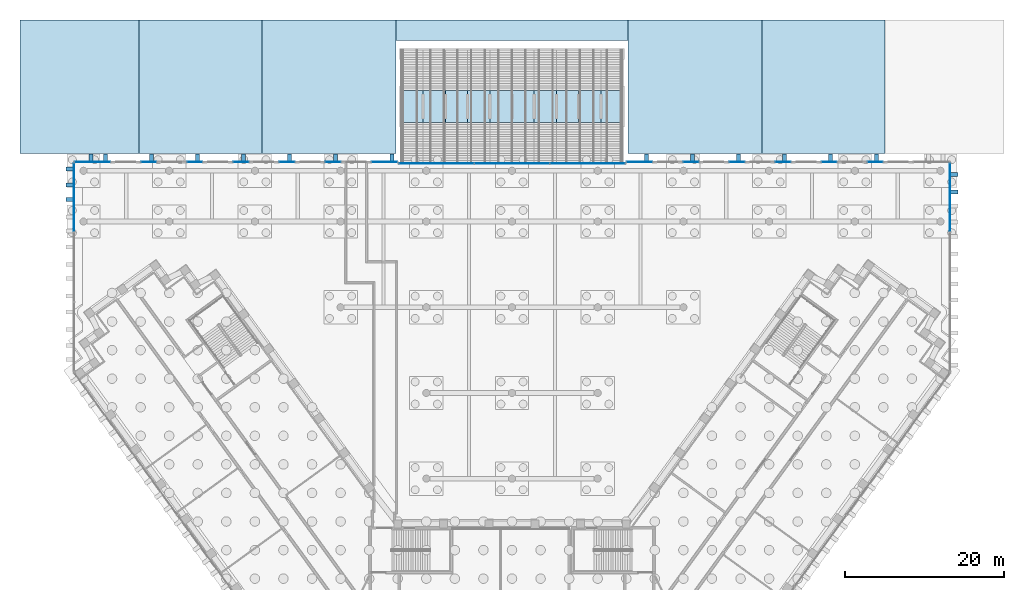
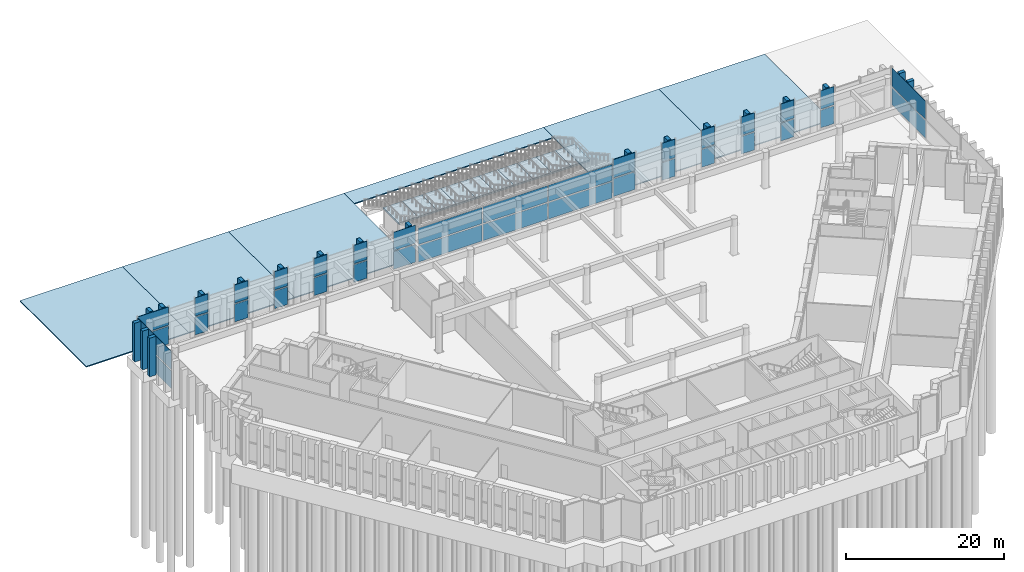
# One storey, part 14 of 32: 55 plates, 16 slabs, 26 elements without a shape of their own.
"""IFC4 building model written with IfcOpenShell, lengths in metres."""

from ifc_helpers import new_model, si_unit, direction, frame, origin, origin_2d, place, context, subcontext, project, spatial, polyline, rectangle, outline, extrude, material, layer, layer_set, type_object, element, aggregate, save


model = new_model("IFC4")

# Units and contexts
model_context = context("Model", 3, precision=1e-05, world=origin(), true_north=direction((0.0, 1.0)))
body_context = subcontext(model_context, "Body", "Model", "MODEL_VIEW")
ifc_project = project(units=[si_unit("LENGTHUNIT", "METRE"), si_unit("AREAUNIT", "SQUARE_METRE"), si_unit("VOLUMEUNIT", "CUBIC_METRE"), si_unit("PLANEANGLEUNIT", "RADIAN"), si_unit("MASSUNIT", "GRAM", prefix="KILO")], contexts=[model_context])

# Site, building, storey
site_placement = place(None, origin())
site = spatial("IfcSite", under=ifc_project, at=site_placement, CompositionType="ELEMENT")
building_placement = place(site_placement, origin())
building = spatial("IfcBuilding", under=site, at=building_placement, Name="Quipu Civic Tower", CompositionType="ELEMENT")
storey_placement = place(building_placement, origin())
storey = spatial("IfcBuildingStorey", under=building, at=storey_placement, Name="L00", CompositionType="ELEMENT", Elevation=0.0)

# Stair, slab
ifc_material_1 = material(Name="Concrete C40/50", Category="concrete")
stair_type = type_object("IfcStairType", Name="Broad stair 2800", PredefinedType="STRAIGHT_RUN_STAIR", material=ifc_material_1)
stair_1_placement = place(storey_placement, origin())
stair_1 = element("IfcStair", 1, at=stair_1_placement, inside=storey, type_object=stair_type, Name="Broad garden stair", PredefinedType="STRAIGHT_RUN_STAIR")
ifc_material_2 = material(Name="Concrete C40/50", Category="concrete")
ifc_layer_1 = layer(ifc_material_2, 0.25)
ifc_layer_set_1 = layer_set([ifc_layer_1], Name="Concrete C40/50")
slab_type_1 = type_object("IfcSlabType", Name="Broad stair landing 250", PredefinedType="LANDING", material=ifc_layer_set_1)
slab_1_placement = place(storey_placement, frame((0.0, 0.0, 2.75)))
slab_1 = element("IfcSlab", 2, at=slab_1_placement, type_object=slab_type_1, Name="BS1 landing 1", PredefinedType="LANDING", context=body_context, shape_type="SweptSolid", body=[
    extrude(outline(polyline([(-14.0, 61.10009765625), (-11.199951171875, 61.10009765625), (-11.199951171875, 65.10009765625), (-14.0, 65.10009765625), (-14.0, 61.10009765625)])), origin(), (0.0, 0.0, 1.0), 0.25),
])
aggregate(stair_1, [slab_1])

stair_2_placement = place(storey_placement, origin())
stair_2 = element("IfcStair", 3, at=stair_2_placement, inside=storey, type_object=stair_type, Name="Broad garden stair", PredefinedType="STRAIGHT_RUN_STAIR")
slab_2_placement = place(storey_placement, frame((0.0, 0.0, 2.75)))
slab_2 = element("IfcSlab", 4, at=slab_2_placement, type_object=slab_type_1, Name="BS2 landing 1", PredefinedType="LANDING", context=body_context, shape_type="SweptSolid", body=[
    extrude(outline(polyline([(-11.199951171875, 61.10009765625), (-8.39990234375, 61.10009765625), (-8.39990234375, 65.10009765625), (-11.199951171875, 65.10009765625), (-11.199951171875, 61.10009765625)])), origin(), (0.0, 0.0, 1.0), 0.25),
])
aggregate(stair_2, [slab_2])

stair_3_placement = place(storey_placement, origin())
stair_3 = element("IfcStair", 5, at=stair_3_placement, inside=storey, type_object=stair_type, Name="Broad garden stair", PredefinedType="STRAIGHT_RUN_STAIR")
slab_3_placement = place(storey_placement, frame((0.0, 0.0, 2.75)))
slab_3 = element("IfcSlab", 6, at=slab_3_placement, type_object=slab_type_1, Name="BS3 landing 1", PredefinedType="LANDING", context=body_context, shape_type="SweptSolid", body=[
    extrude(outline(polyline([(-8.39990234375, 61.10009765625), (-5.60009765625, 61.10009765625), (-5.60009765625, 65.10009765625), (-8.39990234375, 65.10009765625), (-8.39990234375, 61.10009765625)])), origin(), (0.0, 0.0, 1.0), 0.25),
])
aggregate(stair_3, [slab_3])

stair_4_placement = place(storey_placement, origin())
stair_4 = element("IfcStair", 7, at=stair_4_placement, inside=storey, type_object=stair_type, Name="Broad garden stair", PredefinedType="STRAIGHT_RUN_STAIR")
slab_4_placement = place(storey_placement, frame((0.0, 0.0, 2.75)))
slab_4 = element("IfcSlab", 8, at=slab_4_placement, type_object=slab_type_1, Name="BS4 landing 1", PredefinedType="LANDING", context=body_context, shape_type="SweptSolid", body=[
    extrude(outline(polyline([(-5.60009765625, 61.10009765625), (-2.800048828125, 61.10009765625), (-2.800048828125, 65.10009765625), (-5.60009765625, 65.10009765625), (-5.60009765625, 61.10009765625)])), origin(), (0.0, 0.0, 1.0), 0.25),
])
aggregate(stair_4, [slab_4])

stair_5_placement = place(storey_placement, origin())
stair_5 = element("IfcStair", 9, at=stair_5_placement, inside=storey, type_object=stair_type, Name="Broad garden stair", PredefinedType="STRAIGHT_RUN_STAIR")
slab_5_placement = place(storey_placement, frame((0.0, 0.0, 2.75)))
slab_5 = element("IfcSlab", 10, at=slab_5_placement, type_object=slab_type_1, Name="BS5 landing 1", PredefinedType="LANDING", context=body_context, shape_type="SweptSolid", body=[
    extrude(outline(polyline([(-2.800048828125, 61.10009765625), (0.0, 61.10009765625), (0.0, 65.10009765625), (-2.800048828125, 65.10009765625), (-2.800048828125, 61.10009765625)])), origin(), (0.0, 0.0, 1.0), 0.25),
])
aggregate(stair_5, [slab_5])

stair_6_placement = place(storey_placement, origin())
stair_6 = element("IfcStair", 11, at=stair_6_placement, inside=storey, type_object=stair_type, Name="Broad garden stair", PredefinedType="STRAIGHT_RUN_STAIR")
slab_6_placement = place(storey_placement, frame((0.0, 0.0, 2.75)))
slab_6 = element("IfcSlab", 12, at=slab_6_placement, type_object=slab_type_1, Name="BS6 landing 1", PredefinedType="LANDING", context=body_context, shape_type="SweptSolid", body=[
    extrude(outline(polyline([(0.0, 61.10009765625), (2.800048828125, 61.10009765625), (2.800048828125, 65.10009765625), (0.0, 65.10009765625), (0.0, 61.10009765625)])), origin(), (0.0, 0.0, 1.0), 0.25),
])
aggregate(stair_6, [slab_6])

stair_7_placement = place(storey_placement, origin())
stair_7 = element("IfcStair", 13, at=stair_7_placement, inside=storey, type_object=stair_type, Name="Broad garden stair", PredefinedType="STRAIGHT_RUN_STAIR")
slab_7_placement = place(storey_placement, frame((0.0, 0.0, 2.75)))
slab_7 = element("IfcSlab", 14, at=slab_7_placement, type_object=slab_type_1, Name="BS7 landing 1", PredefinedType="LANDING", context=body_context, shape_type="SweptSolid", body=[
    extrude(outline(polyline([(2.800048828125, 61.10009765625), (5.60009765625, 61.10009765625), (5.60009765625, 65.10009765625), (2.800048828125, 65.10009765625), (2.800048828125, 61.10009765625)])), origin(), (0.0, 0.0, 1.0), 0.25),
])
aggregate(stair_7, [slab_7])

stair_8_placement = place(storey_placement, origin())
stair_8 = element("IfcStair", 15, at=stair_8_placement, inside=storey, type_object=stair_type, Name="Broad garden stair", PredefinedType="STRAIGHT_RUN_STAIR")
slab_8_placement = place(storey_placement, frame((0.0, 0.0, 2.75)))
slab_8 = element("IfcSlab", 16, at=slab_8_placement, type_object=slab_type_1, Name="BS8 landing 1", PredefinedType="LANDING", context=body_context, shape_type="SweptSolid", body=[
    extrude(outline(polyline([(5.60009765625, 61.10009765625), (8.39990234375, 61.10009765625), (8.39990234375, 65.10009765625), (5.60009765625, 65.10009765625), (5.60009765625, 61.10009765625)])), origin(), (0.0, 0.0, 1.0), 0.25),
])
aggregate(stair_8, [slab_8])

stair_9_placement = place(storey_placement, origin())
stair_9 = element("IfcStair", 17, at=stair_9_placement, inside=storey, type_object=stair_type, Name="Broad garden stair", PredefinedType="STRAIGHT_RUN_STAIR")
slab_9_placement = place(storey_placement, frame((0.0, 0.0, 2.75)))
slab_9 = element("IfcSlab", 18, at=slab_9_placement, type_object=slab_type_1, Name="BS9 landing 1", PredefinedType="LANDING", context=body_context, shape_type="SweptSolid", body=[
    extrude(outline(polyline([(8.39990234375, 61.10009765625), (11.199951171875, 61.10009765625), (11.199951171875, 65.10009765625), (8.39990234375, 65.10009765625), (8.39990234375, 61.10009765625)])), origin(), (0.0, 0.0, 1.0), 0.25),
])
aggregate(stair_9, [slab_9])

stair_10_placement = place(storey_placement, origin())
stair_10 = element("IfcStair", 19, at=stair_10_placement, inside=storey, type_object=stair_type, Name="Broad garden stair", PredefinedType="STRAIGHT_RUN_STAIR")
slab_10_placement = place(storey_placement, frame((0.0, 0.0, 2.75)))
slab_10 = element("IfcSlab", 20, at=slab_10_placement, type_object=slab_type_1, Name="BS10 landing 1", PredefinedType="LANDING", context=body_context, shape_type="SweptSolid", body=[
    extrude(outline(polyline([(11.199951171875, 61.10009765625), (14.0, 61.10009765625), (14.0, 65.10009765625), (11.199951171875, 65.10009765625), (11.199951171875, 61.10009765625)])), origin(), (0.0, 0.0, 1.0), 0.25),
])
aggregate(stair_10, [slab_10])

# Slabs
ifc_material_3 = material(Name="Precast concrete paving C30/37", Category="concrete")
slab_type_2 = type_object("IfcSlabType", Name="Forecourt paving", PredefinedType="USERDEFINED", material=ifc_material_3)
slab_11_placement = place(storey_placement, frame((0.0, 0.0, -0.14990234375)))
element("IfcSlab", 21, at=slab_11_placement, inside=storey, type_object=slab_type_2, Name="Forecourt paving 1", ObjectType="PAVING", PredefinedType="USERDEFINED", context=body_context, shape_type="SweptSolid", body=[
    extrude(outline(polyline([(-47.0, 57.199951171875), (-47.0, 74.0), (-62.0, 74.0), (-62.0, 57.199951171875), (-47.0, 57.199951171875)])), origin(), (0.0, 0.0, 1.0), 0.14990234375),
])
slab_12_placement = place(storey_placement, frame((0.0, 0.0, -0.14990234375)))
element("IfcSlab", 22, at=slab_12_placement, inside=storey, type_object=slab_type_2, Name="Forecourt paving 2", ObjectType="PAVING", PredefinedType="USERDEFINED", context=body_context, shape_type="SweptSolid", body=[
    extrude(outline(polyline([(-31.5, 57.199951171875), (-31.5, 74.0), (-47.0, 74.0), (-47.0, 57.199951171875), (-31.5, 57.199951171875)])), origin(), (0.0, 0.0, 1.0), 0.14990234375),
])
slab_13_placement = place(storey_placement, frame((0.0, 0.0, -0.14990234375)))
element("IfcSlab", 23, at=slab_13_placement, inside=storey, type_object=slab_type_2, Name="Forecourt paving 3", ObjectType="PAVING", PredefinedType="USERDEFINED", context=body_context, shape_type="SweptSolid", body=[
    extrude(outline(polyline([(-14.60009765625, 57.199951171875), (-14.60009765625, 74.0), (-31.5, 74.0), (-31.5, 57.199951171875), (-14.60009765625, 57.199951171875)])), origin(), (0.0, 0.0, 1.0), 0.14990234375),
])
slab_14_placement = place(storey_placement, frame((0.0, 0.0, -0.14990234375)))
element("IfcSlab", 24, at=slab_14_placement, inside=storey, type_object=slab_type_2, Name="Forecourt paving 4", ObjectType="PAVING", PredefinedType="USERDEFINED", context=body_context, shape_type="SweptSolid", body=[
    extrude(outline(polyline([(31.5, 57.199951171875), (31.5, 74.0), (14.60009765625, 74.0), (14.60009765625, 57.199951171875), (31.5, 57.199951171875)])), origin(), (0.0, 0.0, 1.0), 0.14990234375),
])
slab_15_placement = place(storey_placement, frame((0.0, 0.0, -0.14990234375)))
element("IfcSlab", 25, at=slab_15_placement, inside=storey, type_object=slab_type_2, Name="Forecourt paving 5", ObjectType="PAVING", PredefinedType="USERDEFINED", context=body_context, shape_type="SweptSolid", body=[
    extrude(outline(polyline([(47.0, 57.199951171875), (47.0, 74.0), (31.5, 74.0), (31.5, 57.199951171875), (47.0, 57.199951171875)])), origin(), (0.0, 0.0, 1.0), 0.14990234375),
])
slab_16_placement = place(storey_placement, frame((0.0, 0.0, -0.14990234375)))
element("IfcSlab", 26, at=slab_16_placement, inside=storey, type_object=slab_type_2, Name="Forecourt paving 7", ObjectType="PAVING", PredefinedType="USERDEFINED", context=body_context, shape_type="SweptSolid", body=[
    extrude(outline(polyline([(14.60009765625, 71.39990234375), (14.60009765625, 74.0), (-14.60009765625, 74.0), (-14.60009765625, 71.39990234375), (14.60009765625, 71.39990234375)])), origin(), (0.0, 0.0, 1.0), 0.14990234375),
])

# Curtain wall, plates
ifc_material_4 = material(Name="Insulated glass unit", Category="glass")
curtain_wall_type = type_object("IfcCurtainWallType", Name="Hall glazing CW2", PredefinedType="NOTDEFINED", material=ifc_material_4)
curtain_wall_1_placement = place(storey_placement, origin())
curtain_wall_1 = element("IfcCurtainWall", 27, at=curtain_wall_1_placement, inside=storey, type_object=curtain_wall_type, Name="Hall glazing CW2 L00 run 4", PredefinedType="NOTDEFINED")
ifc_material_5 = material(Name="Insulated glass unit", Category="glass")
ifc_layer_2 = layer(ifc_material_5, 0.0439453125)
ifc_layer_set_2 = layer_set([ifc_layer_2], Name="Insulated glass unit")
plate_type_1 = type_object("IfcPlateType", Name="Glass panel CW2", PredefinedType="CURTAIN_PANEL", material=ifc_layer_set_2)
plate_1_placement = place(storey_placement, frame((55.21435546875, 51.655517578125, 0.179931640625), z_axis=(0.0, 0.0, 1.0), x_axis=(0.0, 1.0, 0.0)))
plate_1 = element("IfcPlate", 28, at=plate_1_placement, type_object=plate_type_1, Name="CW2 panel 3.1", PredefinedType="CURTAIN_PANEL", context=body_context, shape_type="SweptSolid", body=[
    extrude(rectangle(XDim=8.609130859375, YDim=0.0439453125, at=origin_2d()), origin(), (0.0, 0.0, 1.0), 2.72998046875),
])
plate_2_placement = place(storey_placement, frame((55.21435546875, 51.655517578125, 3.08984375), z_axis=(0.0, 0.0, 1.0), x_axis=(0.0, 1.0, 0.0)))
plate_2 = element("IfcPlate", 29, at=plate_2_placement, type_object=plate_type_1, Name="CW2 panel 3.2", PredefinedType="CURTAIN_PANEL", context=body_context, shape_type="SweptSolid", body=[
    extrude(rectangle(XDim=8.609130859375, YDim=0.0439453125, at=origin_2d()), origin(), (0.0, 0.0, 1.0), 2.820068359375),
])
aggregate(curtain_wall_1, [plate_1, plate_2])

curtain_wall_2_placement = place(storey_placement, origin())
curtain_wall_2 = element("IfcCurtainWall", 30, at=curtain_wall_2_placement, inside=storey, type_object=curtain_wall_type, Name="Hall glazing CW2 L00 run 7", PredefinedType="NOTDEFINED")
plate_3_placement = place(storey_placement, frame((45.782958984375, 56.10009765625, 0.179931640625), z_axis=(0.0, 0.0, 1.0), x_axis=(-1.0, 0.0, 0.0)))
plate_3 = element("IfcPlate", 31, at=plate_3_placement, type_object=plate_type_1, Name="CW2 panel 1.1", PredefinedType="CURTAIN_PANEL", context=body_context, shape_type="SweptSolid", body=[
    extrude(rectangle(XDim=1.924072265625, YDim=0.0439453125, at=origin_2d()), origin(), (0.0, 0.0, 1.0), 2.72998046875),
])
plate_4_placement = place(storey_placement, frame((45.782958984375, 56.10009765625, 3.08984375), z_axis=(0.0, 0.0, 1.0), x_axis=(-1.0, 0.0, 0.0)))
plate_4 = element("IfcPlate", 32, at=plate_4_placement, type_object=plate_type_1, Name="CW2 panel 1.2", PredefinedType="CURTAIN_PANEL", context=body_context, shape_type="SweptSolid", body=[
    extrude(rectangle(XDim=1.924072265625, YDim=0.0439453125, at=origin_2d()), origin(), (0.0, 0.0, 1.0), 2.820068359375),
])
aggregate(curtain_wall_2, [plate_3, plate_4])

curtain_wall_3_placement = place(storey_placement, origin())
curtain_wall_3 = element("IfcCurtainWall", 33, at=curtain_wall_3_placement, inside=storey, type_object=curtain_wall_type, Name="Hall glazing CW2 L00 run 9", PredefinedType="NOTDEFINED")
plate_5_placement = place(storey_placement, frame((39.972412109375, 56.10009765625, 0.179931640625), z_axis=(0.0, 0.0, 1.0), x_axis=(-1.0, 0.0, 0.0)))
plate_5 = element("IfcPlate", 34, at=plate_5_placement, type_object=plate_type_1, Name="CW2 panel 1.1", PredefinedType="CURTAIN_PANEL", context=body_context, shape_type="SweptSolid", body=[
    extrude(rectangle(XDim=1.924072265625, YDim=0.0439453125, at=origin_2d()), origin(), (0.0, 0.0, 1.0), 2.72998046875),
])
plate_6_placement = place(storey_placement, frame((39.972412109375, 56.10009765625, 3.08984375), z_axis=(0.0, 0.0, 1.0), x_axis=(-1.0, 0.0, 0.0)))
plate_6 = element("IfcPlate", 35, at=plate_6_placement, type_object=plate_type_1, Name="CW2 panel 1.2", PredefinedType="CURTAIN_PANEL", context=body_context, shape_type="SweptSolid", body=[
    extrude(rectangle(XDim=1.924072265625, YDim=0.0439453125, at=origin_2d()), origin(), (0.0, 0.0, 1.0), 2.820068359375),
])
aggregate(curtain_wall_3, [plate_5, plate_6])

curtain_wall_4_placement = place(storey_placement, origin())
curtain_wall_4 = element("IfcCurtainWall", 36, at=curtain_wall_4_placement, inside=storey, type_object=curtain_wall_type, Name="Hall glazing CW2 L00 run 11", PredefinedType="NOTDEFINED")
plate_7_placement = place(storey_placement, frame((34.161865234375, 56.10009765625, 0.179931640625), z_axis=(0.0, 0.0, 1.0), x_axis=(-1.0, 0.0, 0.0)))
plate_7 = element("IfcPlate", 37, at=plate_7_placement, type_object=plate_type_1, Name="CW2 panel 1.1", PredefinedType="CURTAIN_PANEL", context=body_context, shape_type="SweptSolid", body=[
    extrude(rectangle(XDim=1.924072265625, YDim=0.0439453125, at=origin_2d()), origin(), (0.0, 0.0, 1.0), 2.72998046875),
])
plate_8_placement = place(storey_placement, frame((34.161865234375, 56.10009765625, 3.08984375), z_axis=(0.0, 0.0, 1.0), x_axis=(-1.0, 0.0, 0.0)))
plate_8 = element("IfcPlate", 38, at=plate_8_placement, type_object=plate_type_1, Name="CW2 panel 1.2", PredefinedType="CURTAIN_PANEL", context=body_context, shape_type="SweptSolid", body=[
    extrude(rectangle(XDim=1.924072265625, YDim=0.0439453125, at=origin_2d()), origin(), (0.0, 0.0, 1.0), 2.820068359375),
])
aggregate(curtain_wall_4, [plate_7, plate_8])

curtain_wall_5_placement = place(storey_placement, origin())
curtain_wall_5 = element("IfcCurtainWall", 39, at=curtain_wall_5_placement, inside=storey, type_object=curtain_wall_type, Name="Hall glazing CW2 L00 run 13", PredefinedType="NOTDEFINED")
plate_9_placement = place(storey_placement, frame((28.351318359375, 56.10009765625, 0.179931640625), z_axis=(0.0, 0.0, 1.0), x_axis=(-1.0, 0.0, 0.0)))
plate_9 = element("IfcPlate", 40, at=plate_9_placement, type_object=plate_type_1, Name="CW2 panel 1.1", PredefinedType="CURTAIN_PANEL", context=body_context, shape_type="SweptSolid", body=[
    extrude(rectangle(XDim=1.923828125, YDim=0.0439453125, at=origin_2d()), origin(), (0.0, 0.0, 1.0), 2.72998046875),
])
plate_10_placement = place(storey_placement, frame((28.351318359375, 56.10009765625, 3.08984375), z_axis=(0.0, 0.0, 1.0), x_axis=(-1.0, 0.0, 0.0)))
plate_10 = element("IfcPlate", 41, at=plate_10_placement, type_object=plate_type_1, Name="CW2 panel 1.2", PredefinedType="CURTAIN_PANEL", context=body_context, shape_type="SweptSolid", body=[
    extrude(rectangle(XDim=1.923828125, YDim=0.0439453125, at=origin_2d()), origin(), (0.0, 0.0, 1.0), 2.820068359375),
])
aggregate(curtain_wall_5, [plate_9, plate_10])

curtain_wall_6_placement = place(storey_placement, origin())
curtain_wall_6 = element("IfcCurtainWall", 42, at=curtain_wall_6_placement, inside=storey, type_object=curtain_wall_type, Name="Hall glazing CW2 L00 run 15", PredefinedType="NOTDEFINED")
plate_11_placement = place(storey_placement, frame((22.540771484375, 56.10009765625, 0.179931640625), z_axis=(0.0, 0.0, 1.0), x_axis=(-1.0, 0.0, 0.0)))
plate_11 = element("IfcPlate", 43, at=plate_11_placement, type_object=plate_type_1, Name="CW2 panel 1.1", PredefinedType="CURTAIN_PANEL", context=body_context, shape_type="SweptSolid", body=[
    extrude(rectangle(XDim=1.924072265625, YDim=0.0439453125, at=origin_2d()), origin(), (0.0, 0.0, 1.0), 2.72998046875),
])
plate_12_placement = place(storey_placement, frame((22.540771484375, 56.10009765625, 3.08984375), z_axis=(0.0, 0.0, 1.0), x_axis=(-1.0, 0.0, 0.0)))
plate_12 = element("IfcPlate", 44, at=plate_12_placement, type_object=plate_type_1, Name="CW2 panel 1.2", PredefinedType="CURTAIN_PANEL", context=body_context, shape_type="SweptSolid", body=[
    extrude(rectangle(XDim=1.924072265625, YDim=0.0439453125, at=origin_2d()), origin(), (0.0, 0.0, 1.0), 2.820068359375),
])
aggregate(curtain_wall_6, [plate_11, plate_12])

curtain_wall_7_placement = place(storey_placement, origin())
curtain_wall_7 = element("IfcCurtainWall", 45, at=curtain_wall_7_placement, inside=storey, type_object=curtain_wall_type, Name="Hall glazing CW2 L00 run 17", PredefinedType="NOTDEFINED")
plate_13_placement = place(storey_placement, frame((16.0791015625, 56.10009765625, 0.179931640625), z_axis=(0.0, 0.0, 1.0), x_axis=(-1.0, 0.0, 0.0)))
plate_13 = element("IfcPlate", 46, at=plate_13_placement, type_object=plate_type_1, Name="CW2 panel 1.1", PredefinedType="CURTAIN_PANEL", context=body_context, shape_type="SweptSolid", body=[
    extrude(rectangle(XDim=3.226318359375, YDim=0.0439453125, at=origin_2d()), origin(), (0.0, 0.0, 1.0), 2.72998046875),
])
plate_14_placement = place(storey_placement, frame((16.0791015625, 56.10009765625, 3.08984375), z_axis=(0.0, 0.0, 1.0), x_axis=(-1.0, 0.0, 0.0)))
plate_14 = element("IfcPlate", 47, at=plate_14_placement, type_object=plate_type_1, Name="CW2 panel 1.2", PredefinedType="CURTAIN_PANEL", context=body_context, shape_type="SweptSolid", body=[
    extrude(rectangle(XDim=3.226318359375, YDim=0.0439453125, at=origin_2d()), origin(), (0.0, 0.0, 1.0), 2.820068359375),
])
aggregate(curtain_wall_7, [plate_13, plate_14])

curtain_wall_8_placement = place(storey_placement, origin())
curtain_wall_8 = element("IfcCurtainWall", 48, at=curtain_wall_8_placement, inside=storey, type_object=curtain_wall_type, Name="Hall glazing CW2 L00 run 18", PredefinedType="NOTDEFINED")
plate_15_placement = place(storey_placement, frame((9.515625, 55.89990234375, 0.18017578125), z_axis=(0.0, 0.0, 1.0), x_axis=(-1.0, 0.0, 0.0)))
plate_15 = element("IfcPlate", 49, at=plate_15_placement, type_object=plate_type_1, Name="CW2 panel 1.1", PredefinedType="CURTAIN_PANEL", context=body_context, shape_type="SweptSolid", body=[
    extrude(rectangle(XDim=9.340576171875, YDim=0.0439453125, at=origin_2d()), origin(), (0.0, 0.0, 1.0), 2.530029296875),
])
plate_16_placement = place(storey_placement, frame((9.515625, 55.89990234375, 2.89013671875), z_axis=(0.0, 0.0, 1.0), x_axis=(-1.0, 0.0, 0.0)))
plate_16 = element("IfcPlate", 50, at=plate_16_placement, type_object=plate_type_1, Name="CW2 panel 1.2", PredefinedType="CURTAIN_PANEL", context=body_context, shape_type="SweptSolid", body=[
    extrude(rectangle(XDim=9.340576171875, YDim=0.0439453125, at=origin_2d()), origin(), (0.0, 0.0, 1.0), 2.530029296875),
])
plate_17_placement = place(storey_placement, frame((0.0, 55.89990234375, 0.18017578125), z_axis=(0.0, 0.0, 1.0), x_axis=(-1.0, 0.0, 0.0)))
plate_17 = element("IfcPlate", 51, at=plate_17_placement, type_object=plate_type_1, Name="CW2 panel 2.1", PredefinedType="CURTAIN_PANEL", context=body_context, shape_type="SweptSolid", body=[
    extrude(rectangle(XDim=9.41064453125, YDim=0.0439453125, at=origin_2d()), origin(), (0.0, 0.0, 1.0), 2.530029296875),
])
plate_18_placement = place(storey_placement, frame((0.0, 55.89990234375, 2.89013671875), z_axis=(0.0, 0.0, 1.0), x_axis=(-1.0, 0.0, 0.0)))
plate_18 = element("IfcPlate", 52, at=plate_18_placement, type_object=plate_type_1, Name="CW2 panel 2.2", PredefinedType="CURTAIN_PANEL", context=body_context, shape_type="SweptSolid", body=[
    extrude(rectangle(XDim=9.41064453125, YDim=0.0439453125, at=origin_2d()), origin(), (0.0, 0.0, 1.0), 2.530029296875),
])
plate_19_placement = place(storey_placement, frame((-9.515625, 55.89990234375, 0.18017578125), z_axis=(0.0, 0.0, 1.0), x_axis=(-1.0, 0.0, 0.0)))
plate_19 = element("IfcPlate", 53, at=plate_19_placement, type_object=plate_type_1, Name="CW2 panel 3.1", PredefinedType="CURTAIN_PANEL", context=body_context, shape_type="SweptSolid", body=[
    extrude(rectangle(XDim=9.340576171875, YDim=0.0439453125, at=origin_2d()), origin(), (0.0, 0.0, 1.0), 2.530029296875),
])
plate_20_placement = place(storey_placement, frame((-9.515625, 55.89990234375, 2.89013671875), z_axis=(0.0, 0.0, 1.0), x_axis=(-1.0, 0.0, 0.0)))
plate_20 = element("IfcPlate", 54, at=plate_20_placement, type_object=plate_type_1, Name="CW2 panel 3.2", PredefinedType="CURTAIN_PANEL", context=body_context, shape_type="SweptSolid", body=[
    extrude(rectangle(XDim=9.340576171875, YDim=0.0439453125, at=origin_2d()), origin(), (0.0, 0.0, 1.0), 2.530029296875),
])
aggregate(curtain_wall_8, [plate_15, plate_16, plate_17, plate_18, plate_19, plate_20])

curtain_wall_9_placement = place(storey_placement, origin())
curtain_wall_9 = element("IfcCurtainWall", 55, at=curtain_wall_9_placement, inside=storey, type_object=curtain_wall_type, Name="Hall glazing CW2 L00 run 19", PredefinedType="NOTDEFINED")
plate_21_placement = place(storey_placement, frame((-16.0791015625, 56.10009765625, 0.179931640625), z_axis=(0.0, 0.0, 1.0), x_axis=(-1.0, 0.0, 0.0)))
plate_21 = element("IfcPlate", 56, at=plate_21_placement, type_object=plate_type_1, Name="CW2 panel 1.1", PredefinedType="CURTAIN_PANEL", context=body_context, shape_type="SweptSolid", body=[
    extrude(rectangle(XDim=3.226318359375, YDim=0.0439453125, at=origin_2d()), origin(), (0.0, 0.0, 1.0), 2.72998046875),
])
plate_22_placement = place(storey_placement, frame((-16.0791015625, 56.10009765625, 3.08984375), z_axis=(0.0, 0.0, 1.0), x_axis=(-1.0, 0.0, 0.0)))
plate_22 = element("IfcPlate", 57, at=plate_22_placement, type_object=plate_type_1, Name="CW2 panel 1.2", PredefinedType="CURTAIN_PANEL", context=body_context, shape_type="SweptSolid", body=[
    extrude(rectangle(XDim=3.226318359375, YDim=0.0439453125, at=origin_2d()), origin(), (0.0, 0.0, 1.0), 2.820068359375),
])
aggregate(curtain_wall_9, [plate_21, plate_22])

curtain_wall_10_placement = place(storey_placement, origin())
curtain_wall_10 = element("IfcCurtainWall", 58, at=curtain_wall_10_placement, inside=storey, type_object=curtain_wall_type, Name="Hall glazing CW2 L00 run 21", PredefinedType="NOTDEFINED")
plate_23_placement = place(storey_placement, frame((-22.540771484375, 56.10009765625, 0.179931640625), z_axis=(0.0, 0.0, 1.0), x_axis=(-1.0, 0.0, 0.0)))
plate_23 = element("IfcPlate", 59, at=plate_23_placement, type_object=plate_type_1, Name="CW2 panel 1.1", PredefinedType="CURTAIN_PANEL", context=body_context, shape_type="SweptSolid", body=[
    extrude(rectangle(XDim=1.924072265625, YDim=0.0439453125, at=origin_2d()), origin(), (0.0, 0.0, 1.0), 2.72998046875),
])
plate_24_placement = place(storey_placement, frame((-22.540771484375, 56.10009765625, 3.08984375), z_axis=(0.0, 0.0, 1.0), x_axis=(-1.0, 0.0, 0.0)))
plate_24 = element("IfcPlate", 60, at=plate_24_placement, type_object=plate_type_1, Name="CW2 panel 1.2", PredefinedType="CURTAIN_PANEL", context=body_context, shape_type="SweptSolid", body=[
    extrude(rectangle(XDim=1.924072265625, YDim=0.0439453125, at=origin_2d()), origin(), (0.0, 0.0, 1.0), 2.820068359375),
])
aggregate(curtain_wall_10, [plate_23, plate_24])

curtain_wall_11_placement = place(storey_placement, origin())
curtain_wall_11 = element("IfcCurtainWall", 61, at=curtain_wall_11_placement, inside=storey, type_object=curtain_wall_type, Name="Hall glazing CW2 L00 run 23", PredefinedType="NOTDEFINED")
plate_25_placement = place(storey_placement, frame((-28.351318359375, 56.10009765625, 0.179931640625), z_axis=(0.0, 0.0, 1.0), x_axis=(-1.0, 0.0, 0.0)))
plate_25 = element("IfcPlate", 62, at=plate_25_placement, type_object=plate_type_1, Name="CW2 panel 1.1", PredefinedType="CURTAIN_PANEL", context=body_context, shape_type="SweptSolid", body=[
    extrude(rectangle(XDim=1.923828125, YDim=0.0439453125, at=origin_2d()), origin(), (0.0, 0.0, 1.0), 2.72998046875),
])
plate_26_placement = place(storey_placement, frame((-28.351318359375, 56.10009765625, 3.08984375), z_axis=(0.0, 0.0, 1.0), x_axis=(-1.0, 0.0, 0.0)))
plate_26 = element("IfcPlate", 63, at=plate_26_placement, type_object=plate_type_1, Name="CW2 panel 1.2", PredefinedType="CURTAIN_PANEL", context=body_context, shape_type="SweptSolid", body=[
    extrude(rectangle(XDim=1.923828125, YDim=0.0439453125, at=origin_2d()), origin(), (0.0, 0.0, 1.0), 2.820068359375),
])
aggregate(curtain_wall_11, [plate_25, plate_26])

curtain_wall_12_placement = place(storey_placement, origin())
curtain_wall_12 = element("IfcCurtainWall", 64, at=curtain_wall_12_placement, inside=storey, type_object=curtain_wall_type, Name="Hall glazing CW2 L00 run 25", PredefinedType="NOTDEFINED")
plate_27_placement = place(storey_placement, frame((-34.161865234375, 56.10009765625, 0.179931640625), z_axis=(0.0, 0.0, 1.0), x_axis=(-1.0, 0.0, 0.0)))
plate_27 = element("IfcPlate", 65, at=plate_27_placement, type_object=plate_type_1, Name="CW2 panel 1.1", PredefinedType="CURTAIN_PANEL", context=body_context, shape_type="SweptSolid", body=[
    extrude(rectangle(XDim=1.924072265625, YDim=0.0439453125, at=origin_2d()), origin(), (0.0, 0.0, 1.0), 2.72998046875),
])
plate_28_placement = place(storey_placement, frame((-34.161865234375, 56.10009765625, 3.08984375), z_axis=(0.0, 0.0, 1.0), x_axis=(-1.0, 0.0, 0.0)))
plate_28 = element("IfcPlate", 66, at=plate_28_placement, type_object=plate_type_1, Name="CW2 panel 1.2", PredefinedType="CURTAIN_PANEL", context=body_context, shape_type="SweptSolid", body=[
    extrude(rectangle(XDim=1.924072265625, YDim=0.0439453125, at=origin_2d()), origin(), (0.0, 0.0, 1.0), 2.820068359375),
])
aggregate(curtain_wall_12, [plate_27, plate_28])

curtain_wall_13_placement = place(storey_placement, origin())
curtain_wall_13 = element("IfcCurtainWall", 67, at=curtain_wall_13_placement, inside=storey, type_object=curtain_wall_type, Name="Hall glazing CW2 L00 run 27", PredefinedType="NOTDEFINED")
plate_29_placement = place(storey_placement, frame((-39.972412109375, 56.10009765625, 0.179931640625), z_axis=(0.0, 0.0, 1.0), x_axis=(-1.0, 0.0, 0.0)))
plate_29 = element("IfcPlate", 68, at=plate_29_placement, type_object=plate_type_1, Name="CW2 panel 1.1", PredefinedType="CURTAIN_PANEL", context=body_context, shape_type="SweptSolid", body=[
    extrude(rectangle(XDim=1.924072265625, YDim=0.0439453125, at=origin_2d()), origin(), (0.0, 0.0, 1.0), 2.72998046875),
])
plate_30_placement = place(storey_placement, frame((-39.972412109375, 56.10009765625, 3.08984375), z_axis=(0.0, 0.0, 1.0), x_axis=(-1.0, 0.0, 0.0)))
plate_30 = element("IfcPlate", 69, at=plate_30_placement, type_object=plate_type_1, Name="CW2 panel 1.2", PredefinedType="CURTAIN_PANEL", context=body_context, shape_type="SweptSolid", body=[
    extrude(rectangle(XDim=1.924072265625, YDim=0.0439453125, at=origin_2d()), origin(), (0.0, 0.0, 1.0), 2.820068359375),
])
aggregate(curtain_wall_13, [plate_29, plate_30])

curtain_wall_14_placement = place(storey_placement, origin())
curtain_wall_14 = element("IfcCurtainWall", 70, at=curtain_wall_14_placement, inside=storey, type_object=curtain_wall_type, Name="Hall glazing CW2 L00 run 29", PredefinedType="NOTDEFINED")
plate_31_placement = place(storey_placement, frame((-45.782958984375, 56.10009765625, 0.179931640625), z_axis=(0.0, 0.0, 1.0), x_axis=(-1.0, 0.0, 0.0)))
plate_31 = element("IfcPlate", 71, at=plate_31_placement, type_object=plate_type_1, Name="CW2 panel 1.1", PredefinedType="CURTAIN_PANEL", context=body_context, shape_type="SweptSolid", body=[
    extrude(rectangle(XDim=1.924072265625, YDim=0.0439453125, at=origin_2d()), origin(), (0.0, 0.0, 1.0), 2.72998046875),
])
plate_32_placement = place(storey_placement, frame((-45.782958984375, 56.10009765625, 3.08984375), z_axis=(0.0, 0.0, 1.0), x_axis=(-1.0, 0.0, 0.0)))
plate_32 = element("IfcPlate", 72, at=plate_32_placement, type_object=plate_type_1, Name="CW2 panel 1.2", PredefinedType="CURTAIN_PANEL", context=body_context, shape_type="SweptSolid", body=[
    extrude(rectangle(XDim=1.924072265625, YDim=0.0439453125, at=origin_2d()), origin(), (0.0, 0.0, 1.0), 2.820068359375),
])
aggregate(curtain_wall_14, [plate_31, plate_32])

curtain_wall_15_placement = place(storey_placement, origin())
curtain_wall_15 = element("IfcCurtainWall", 73, at=curtain_wall_15_placement, inside=storey, type_object=curtain_wall_type, Name="Hall glazing CW2 L00 run 31", PredefinedType="NOTDEFINED")
plate_33_placement = place(storey_placement, frame((-52.852783203125, 56.10009765625, 0.179931640625), z_axis=(0.0, 0.0, 1.0), x_axis=(-1.0, 0.0, 0.0)))
plate_33 = element("IfcPlate", 74, at=plate_33_placement, type_object=plate_type_1, Name="CW2 panel 1.1", PredefinedType="CURTAIN_PANEL", context=body_context, shape_type="SweptSolid", body=[
    extrude(rectangle(XDim=4.443115234375, YDim=0.0439453125, at=origin_2d()), origin(), (0.0, 0.0, 1.0), 2.72998046875),
])
plate_34_placement = place(storey_placement, frame((-52.852783203125, 56.10009765625, 3.08984375), z_axis=(0.0, 0.0, 1.0), x_axis=(-1.0, 0.0, 0.0)))
plate_34 = element("IfcPlate", 75, at=plate_34_placement, type_object=plate_type_1, Name="CW2 panel 1.2", PredefinedType="CURTAIN_PANEL", context=body_context, shape_type="SweptSolid", body=[
    extrude(rectangle(XDim=4.443115234375, YDim=0.0439453125, at=origin_2d()), origin(), (0.0, 0.0, 1.0), 2.820068359375),
])
aggregate(curtain_wall_15, [plate_33, plate_34])

curtain_wall_16_placement = place(storey_placement, origin())
curtain_wall_16 = element("IfcCurtainWall", 76, at=curtain_wall_16_placement, inside=storey, type_object=curtain_wall_type, Name="Hall glazing CW2 L00 run 32", PredefinedType="NOTDEFINED")
plate_35_placement = place(storey_placement, frame((-55.21435546875, 51.655517578125, 0.179931640625), z_axis=(0.0, 0.0, 1.0), x_axis=(0.0, -1.0, 0.0)))
plate_35 = element("IfcPlate", 77, at=plate_35_placement, type_object=plate_type_1, Name="CW2 panel 1.1", PredefinedType="CURTAIN_PANEL", context=body_context, shape_type="SweptSolid", body=[
    extrude(rectangle(XDim=8.609130859375, YDim=0.0439453125, at=origin_2d()), origin(), (0.0, 0.0, 1.0), 2.72998046875),
])
plate_36_placement = place(storey_placement, frame((-55.21435546875, 51.655517578125, 3.08984375), z_axis=(0.0, 0.0, 1.0), x_axis=(0.0, -1.0, 0.0)))
plate_36 = element("IfcPlate", 78, at=plate_36_placement, type_object=plate_type_1, Name="CW2 panel 1.2", PredefinedType="CURTAIN_PANEL", context=body_context, shape_type="SweptSolid", body=[
    extrude(rectangle(XDim=8.609130859375, YDim=0.0439453125, at=origin_2d()), origin(), (0.0, 0.0, 1.0), 2.820068359375),
])
aggregate(curtain_wall_16, [plate_35, plate_36])

# Plates
ifc_material_6 = material(Name="Precast concrete C40/50", Category="concrete")
plate_type_2 = type_object("IfcPlateType", Name="Precast fin F0", PredefinedType="SHEET", material=ifc_material_6)
for number, where, z_axis, x_axis, name in (
    (79, (55.764404296875, 52.34228515625, 0.0), (0.0, 0.0, 1.0), (0.0, 1.0, 0.0), "Precast fin F0 L00.4.12"),
    (80, (55.764404296875, 54.54248046875, 0.0), (0.0, 0.0, 1.0), (0.0, 1.0, 0.0), "Precast fin F0 L00.4.13"),
    (81, (45.949951171875, 56.64990234375, 0.0), (0.0, 0.0, 1.0), (-1.0, 0.0, 0.0), "Precast fin F0 L00.7.1"),
    (82, (40.14990234375, 56.64990234375, 0.0), (0.0, 0.0, 1.0), (-1.0, 0.0, 0.0), "Precast fin F0 L00.9.1"),
    (83, (34.35009765625, 56.64990234375, 0.0), (0.0, 0.0, 1.0), (-1.0, 0.0, 0.0), "Precast fin F0 L00.11.1"),
    (84, (28.550048828125, 56.64990234375, 0.0), (0.0, 0.0, 1.0), (-1.0, 0.0, 0.0), "Precast fin F0 L00.13.1"),
    (85, (22.75, 56.64990234375, 0.0), (0.0, 0.0, 1.0), (-1.0, 0.0, 0.0), "Precast fin F0 L00.15.1"),
    (86, (16.949951171875, 56.64990234375, 0.0), (0.0, 0.0, 1.0), (-1.0, 0.0, 0.0), "Precast fin F0 L00.17.1"),
    (87, (-15.14990234375, 56.64990234375, 0.0), (0.0, 0.0, 1.0), (-1.0, 0.0, 0.0), "Precast fin F0 L00.19.1"),
    (88, (-22.25, 56.64990234375, 0.0), (0.0, 0.0, 1.0), (-1.0, 0.0, 0.0), "Precast fin F0 L00.21.1"),
    (89, (-28.050048828125, 56.64990234375, 0.0), (0.0, 0.0, 1.0), (-1.0, 0.0, 0.0), "Precast fin F0 L00.23.1"),
    (90, (-33.85009765625, 56.64990234375, 0.0), (0.0, 0.0, 1.0), (-1.0, 0.0, 0.0), "Precast fin F0 L00.25.1"),
    (91, (-39.64990234375, 56.64990234375, 0.0), (0.0, 0.0, 1.0), (-1.0, 0.0, 0.0), "Precast fin F0 L00.27.1"),
    (92, (-45.449951171875, 56.64990234375, 0.0), (0.0, 0.0, 1.0), (-1.0, 0.0, 0.0), "Precast fin F0 L00.29.1"),
    (93, (-51.25, 56.64990234375, 0.0), (0.0, 0.0, 1.0), (-1.0, 0.0, 0.0), "Precast fin F0 L00.31.1"),
    (94, (-53.050048828125, 56.64990234375, 0.0), (0.0, 0.0, 1.0), (-1.0, 0.0, 0.0), "Precast fin F0 L00.31.2"),
    (95, (-55.764404296875, 55.199951171875, 0.0), (0.0, 0.0, 1.0), (0.0, -1.0, 0.0), "Precast fin F0 L00.32.1"),
    (96, (-55.764404296875, 53.199951171875, 0.0), (0.0, 0.0, 1.0), (0.0, -1.0, 0.0), "Precast fin F0 L00.32.2"),
    (97, (-55.764404296875, 51.39990234375, 0.0), (0.0, 0.0, 1.0), (0.0, -1.0, 0.0), "Precast fin F0 L00.32.3"),
):
    element("IfcPlate", number, at=place(storey_placement, frame(where, z_axis=z_axis, x_axis=x_axis)), inside=storey, type_object=plate_type_2, Name=name, PredefinedType="SHEET", context=body_context, shape_type="SweptSolid", body=[
        extrude(rectangle(XDim=0.5, YDim=0.89990234375, at=origin_2d()), origin(), (0.0, 0.0, 1.0), 6.0),
    ])

save(model, "model.ifc")
